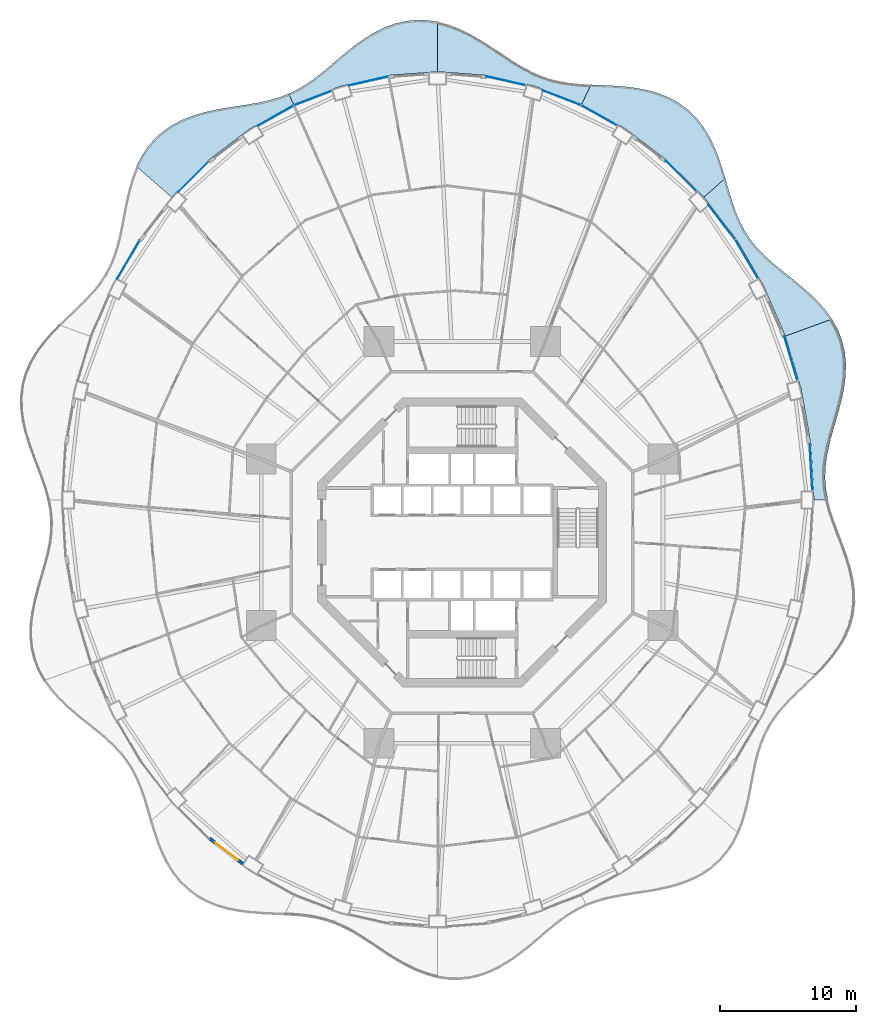
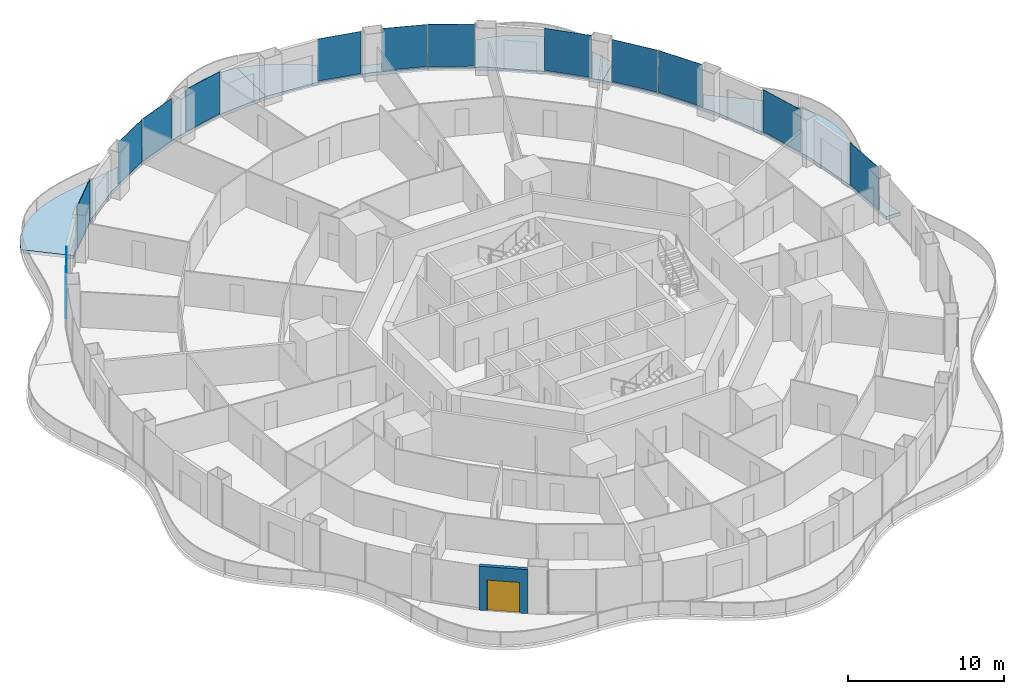
# One storey, part 13 of 22: 13 plates, 6 slabs, 1 door, 1 wall, 1 opening, 13 elements without a shape of their own.
"""IFC4 building model written with IfcOpenShell, lengths in metres."""

from ifc_helpers import new_model, si_unit, direction, frame, frame_2d, origin, origin_2d, place, context, subcontext, project, spatial, polyline, rectangle, outline, extrude, material, layer, layer_set, type_object, element, fill, aggregate, save


model = new_model("IFC4")

# Units and contexts
model_context = context("Model", 3, precision=1e-05, world=origin(), true_north=direction((0.0, 1.0)))
body_context = subcontext(model_context, "Body", "Model", "MODEL_VIEW")
ifc_project = project(units=[si_unit("LENGTHUNIT", "METRE"), si_unit("AREAUNIT", "SQUARE_METRE"), si_unit("VOLUMEUNIT", "CUBIC_METRE"), si_unit("PLANEANGLEUNIT", "RADIAN"), si_unit("MASSUNIT", "GRAM", prefix="KILO")], contexts=[model_context])

# Site, building, storey
site_placement = place(None, origin())
site = spatial("IfcSite", under=ifc_project, at=site_placement, CompositionType="ELEMENT")
building_placement = place(site_placement, origin())
building = spatial("IfcBuilding", under=site, at=building_placement, Name="Nagisa Residences", CompositionType="ELEMENT")
storey_placement = place(building_placement, frame((0.0, 0.0, 80.699951171875)))
storey = spatial("IfcBuildingStorey", under=building, at=storey_placement, Name="L19", CompositionType="ELEMENT", Elevation=80.699951171875)

# Slabs
ifc_material_1 = material(Name="Concrete C40/50", Category="concrete")
ifc_layer_1 = layer(ifc_material_1, 0.25)
ifc_layer_set_1 = layer_set([ifc_layer_1], Name="BALCONY SLAB 250")
slab_type = type_object("IfcSlabType", Name="BALCONY SLAB 250", PredefinedType="FLOOR", material=ifc_layer_set_1)
slab_1_placement = place(storey_placement, frame((0.0, 0.0, -0.25)))
element("IfcSlab", 1, at=slab_1_placement, inside=storey, type_object=slab_type, Name="slab:L19:bal00", PredefinedType="FLOOR", context=body_context, shape_type="SweptSolid", body=[
    extrude(outline(polyline([(26.920654296875, 3.11767578125), (26.77587890625, 3.90576171875), (26.7119140625, 4.69189453125), (26.7314453125, 5.48193359375), (26.829833984375, 6.281982421875), (26.995849609375, 7.0966796875), (27.21240234375, 7.9287109375), (27.457763671875, 8.779541015625), (27.70703125, 9.647216796875), (27.934326171875, 10.5283203125), (28.114013671875, 11.416748046875), (28.222412109375, 12.304443359375), (28.240234375, 13.18310546875), (28.1533203125, 14.042724609375), (27.95361328125, 14.87451171875), (27.6396484375, 15.671142578125), (27.217041015625, 16.426513671875), (23.786865234375, 15.177978515625), (24.951416015625, 11.2744140625), (25.657958984375, 7.231201171875), (25.89501953125, 3.11767578125), (26.920654296875, 3.11767578125)])), origin(), (0.0, 0.0, 1.0), 0.25),
])
slab_2_placement = place(storey_placement, frame((0.0, 0.0, -0.25)))
element("IfcSlab", 2, at=slab_2_placement, inside=storey, type_object=slab_type, Name="slab:L19:bal01", PredefinedType="FLOOR", context=body_context, shape_type="SweptSolid", body=[
    extrude(outline(polyline([(27.217041015625, 16.426513671875), (26.714599609375, 17.11669921875), (26.136474609375, 17.765625), (25.501708984375, 18.3759765625), (24.831787109375, 18.9541015625), (24.148681640625, 19.508056640625), (23.474365234375, 20.04833984375), (22.828125, 20.586181640625), (22.226318359375, 21.134521484375), (21.680908203125, 21.704345703125), (21.19873046875, 22.30615234375), (20.781005859375, 22.94775390625), (20.423583984375, 23.63427734375), (20.11767578125, 24.366455078125), (19.849853515625, 25.1416015625), (19.60400390625, 25.95263671875), (19.361572265625, 26.7890625), (17.783203125, 25.402099609375), (20.171875, 22.302734375), (22.1845703125, 18.875244140625), (23.786865234375, 15.177978515625), (27.217041015625, 16.426513671875)])), origin(), (0.0, 0.0, 1.0), 0.25),
])
slab_3_placement = place(storey_placement, frame((0.0, 0.0, -0.25)))
element("IfcSlab", 3, at=slab_3_placement, inside=storey, type_object=slab_type, Name="slab:L19:bal02", PredefinedType="FLOOR", context=body_context, shape_type="SweptSolid", body=[
    extrude(outline(polyline([(19.361572265625, 26.7890625), (19.1162109375, 27.59716796875), (18.8408203125, 28.401611328125), (18.52099609375, 29.186767578125), (18.145263671875, 29.93701171875), (17.70458984375, 30.63720703125), (17.1943359375, 31.2744140625), (16.61328125, 31.837646484375), (15.964111328125, 32.319580078125), (15.253173828125, 32.71630859375), (14.489501953125, 33.029052734375), (13.684326171875, 33.2626953125), (12.850341796875, 33.426513671875), (12.000732421875, 33.533203125), (11.1484375, 33.598388671875), (10.3046875, 33.64013671875), (9.478759765625, 33.677001953125), (8.79833984375, 32.233642578125), (12.047607421875, 30.410400390625), (15.0595703125, 28.1201171875), (17.783203125, 25.402099609375), (19.361572265625, 26.7890625)])), origin(), (0.0, 0.0, 1.0), 0.25),
])
slab_4_placement = place(storey_placement, frame((0.0, 0.0, -0.25)))
element("IfcSlab", 4, at=slab_4_placement, inside=storey, type_object=slab_type, Name="slab:L19:bal03", PredefinedType="FLOOR", context=body_context, shape_type="SweptSolid", body=[
    extrude(outline(polyline([(9.478759765625, 33.677001953125), (8.705810546875, 33.724609375), (7.958984375, 33.7998046875), (7.2392578125, 33.915283203125), (6.545166015625, 34.08056640625), (5.87255859375, 34.302001953125), (5.216064453125, 34.5810546875), (4.568359375, 34.915283203125), (3.922607421875, 35.2978515625), (3.27099609375, 35.718017578125), (2.607177734375, 36.161376953125), (1.92578125, 36.611083984375), (1.222900390625, 37.048583984375), (0.49755859375, 37.45458984375), (-0.250244140625, 37.810791015625), (-1.017578125, 38.099609375), (-1.800048828125, 38.30712890625), (-1.800048828125, 34.6328125), (1.81494140625, 34.363037109375), (5.367919921875, 33.558837890625), (8.79833984375, 32.233642578125), (9.478759765625, 33.677001953125)])), origin(), (0.0, 0.0, 1.0), 0.25),
])
slab_5_placement = place(storey_placement, frame((0.0, 0.0, -0.25)))
element("IfcSlab", 5, at=slab_5_placement, inside=storey, type_object=slab_type, Name="slab:L19:bal04", PredefinedType="FLOOR", context=body_context, shape_type="SweptSolid", body=[
    extrude(outline(polyline([(-1.800048828125, 38.30712890625), (-2.591552734375, 38.422119140625), (-3.385009765625, 38.4375), (-4.17333984375, 38.351318359375), (-4.948974609375, 38.16552734375), (-5.705810546875, 37.886962890625), (-6.43896484375, 37.5263671875), (-7.14501953125, 37.097900390625), (-7.822998046875, 36.61865234375), (-8.474365234375, 36.106689453125), (-9.102294921875, 35.581298828125), (-9.71240234375, 35.060302734375), (-10.3115234375, 34.560791015625), (-10.90771484375, 34.0966796875), (-11.509521484375, 33.678955078125), (-12.125244140625, 33.314208984375), (-12.76220703125, 33.005615234375), (-12.3984375, 32.233642578125), (-8.968017578125, 33.558837890625), (-5.4150390625, 34.363037109375), (-1.800048828125, 34.6328125), (-1.800048828125, 38.30712890625)])), origin(), (0.0, 0.0, 1.0), 0.25),
])
slab_6_placement = place(storey_placement, frame((0.0, 0.0, -0.25)))
element("IfcSlab", 6, at=slab_6_placement, inside=storey, type_object=slab_type, Name="slab:L19:bal05", PredefinedType="FLOOR", context=body_context, shape_type="SweptSolid", body=[
    extrude(outline(polyline([(-12.76220703125, 33.005615234375), (-13.451416015625, 32.742919921875), (-14.173583984375, 32.532958984375), (-14.9296875, 32.365478515625), (-15.71728515625, 32.2265625), (-16.53125, 32.100341796875), (-17.363037109375, 31.969482421875), (-18.20166015625, 31.81689453125), (-19.033935546875, 31.62548828125), (-19.845703125, 31.381103515625), (-20.622802734375, 31.072021484375), (-21.3515625, 30.68994140625), (-22.0205078125, 30.230712890625), (-22.620361328125, 29.69384765625), (-23.14501953125, 29.0830078125), (-23.592529296875, 28.4052734375), (-23.965087890625, 27.671142578125), (-21.38330078125, 25.402099609375), (-18.65966796875, 28.1201171875), (-15.6474609375, 30.410400390625), (-12.3984375, 32.233642578125), (-12.76220703125, 33.005615234375)])), origin(), (0.0, 0.0, 1.0), 0.25),
])

# Curtain wall, plate
ifc_material_2 = material(Name="Concrete-coloured aluminium curtain wall system", Category="concrete")
ifc_layer_2 = layer(ifc_material_2, 0.159912109375)
ifc_layer_set_2 = layer_set([ifc_layer_2], Name="CW1 CURTAIN WALL")
curtain_wall_type = type_object("IfcCurtainWallType", Name="CW1 CURTAIN WALL", PredefinedType="NOTDEFINED", material=ifc_layer_set_2)
curtain_wall_1_placement = place(storey_placement, origin())
curtain_wall_1 = element("IfcCurtainWall", 7, at=curtain_wall_1_placement, inside=storey, type_object=curtain_wall_type, Name="cw:CW1:L19:00", PredefinedType="NOTDEFINED")
ifc_material_3 = material(Name="Clear laminated glass", Category="glass")
ifc_layer_3 = layer(ifc_material_3, 0.028076171875)
ifc_layer_set_3 = layer_set([ifc_layer_3], Name="CW1 GLASS PANEL")
plate_type = type_object("IfcPlateType", Name="CW1 GLASS PANEL", PredefinedType="CURTAIN_PANEL", material=ifc_layer_set_3)
plate_1_placement = place(storey_placement, frame((25.67626953125, 5.524169921875, 0.150146484375), z_axis=(0.0, 0.0, 1.0), x_axis=(-0.057503492216, 0.998345305184, 0.0)))
plate_1 = element("IfcPlate", 8, at=plate_1_placement, type_object=plate_type, Name="CW1 panel", PredefinedType="CURTAIN_PANEL", context=body_context, shape_type="SweptSolid", body=[
    extrude(rectangle(XDim=3.410400390625, YDim=0.028076171875, at=origin_2d()), origin(), (0.0, 0.0, 1.0), 3.2900390625),
])
aggregate(curtain_wall_1, [plate_1])

curtain_wall_2_placement = place(storey_placement, origin())
curtain_wall_2 = element("IfcCurtainWall", 9, at=curtain_wall_2_placement, inside=storey, type_object=curtain_wall_type, Name="cw:CW1:L19:02", PredefinedType="NOTDEFINED")
plate_2_placement = place(storey_placement, frame((24.19091796875, 13.54345703125, 0.150146484375), z_axis=(0.0, 0.0, 1.0), x_axis=(-0.285860274038, 0.958271310082, 0.0)))
plate_2 = element("IfcPlate", 10, at=plate_2_placement, type_object=plate_type, Name="CW1 panel", PredefinedType="CURTAIN_PANEL", context=body_context, shape_type="SweptSolid", body=[
    extrude(rectangle(XDim=3.363525390625, YDim=0.028076171875, at=origin_2d()), origin(), (0.0, 0.0, 1.0), 3.2900390625),
])
aggregate(curtain_wall_2, [plate_2])

curtain_wall_3_placement = place(storey_placement, origin())
curtain_wall_3 = element("IfcCurtainWall", 11, at=curtain_wall_3_placement, inside=storey, type_object=curtain_wall_type, Name="cw:CW1:L19:04", PredefinedType="NOTDEFINED")
plate_3_placement = place(storey_placement, frame((20.929443359375, 20.854736328125, 0.150146484375), z_axis=(0.0, 0.0, 1.0), x_axis=(-0.506348567002, 0.862328898214, 0.0)))
plate_3 = element("IfcPlate", 12, at=plate_3_placement, type_object=plate_type, Name="CW1 panel", PredefinedType="CURTAIN_PANEL", context=body_context, shape_type="SweptSolid", body=[
    extrude(rectangle(XDim=3.264892578125, YDim=0.028076171875, at=origin_2d()), origin(), (0.0, 0.0, 1.0), 3.2900390625),
])
aggregate(curtain_wall_3, [plate_3])

curtain_wall_4_placement = place(storey_placement, origin())
curtain_wall_4 = element("IfcCurtainWall", 13, at=curtain_wall_4_placement, inside=storey, type_object=curtain_wall_type, Name="cw:CW1:L19:05", PredefinedType="NOTDEFINED")
plate_4_placement = place(storey_placement, frame((19.09423828125, 23.570068359375, 0.150146484375), z_axis=(0.0, 0.0, 1.0), x_axis=(-0.610429828235, 0.792070340816, 0.0)))
plate_4 = element("IfcPlate", 14, at=plate_4_placement, type_object=plate_type, Name="CW1 panel", PredefinedType="CURTAIN_PANEL", context=body_context, shape_type="SweptSolid", body=[
    extrude(rectangle(XDim=3.202880859375, YDim=0.028076171875, at=origin_2d()), origin(), (0.0, 0.0, 1.0), 3.2900390625),
])
aggregate(curtain_wall_4, [plate_4])

curtain_wall_5_placement = place(storey_placement, origin())
curtain_wall_5 = element("IfcCurtainWall", 15, at=curtain_wall_5_placement, inside=storey, type_object=curtain_wall_type, Name="cw:CW1:L19:06", PredefinedType="NOTDEFINED")
plate_5_placement = place(storey_placement, frame((16.11376953125, 26.955322265625, 0.150146484375), z_axis=(0.0, 0.0, 1.0), x_axis=(-0.707835924016, 0.706376885714, 0.0)))
plate_5 = element("IfcPlate", 16, at=plate_5_placement, type_object=plate_type, Name="CW1 panel", PredefinedType="CURTAIN_PANEL", context=body_context, shape_type="SweptSolid", body=[
    extrude(rectangle(XDim=3.137939453125, YDim=0.028076171875, at=origin_2d()), origin(), (0.0, 0.0, 1.0), 3.2900390625),
])
aggregate(curtain_wall_5, [plate_5])

curtain_wall_6_placement = place(storey_placement, origin())
curtain_wall_6 = element("IfcCurtainWall", 17, at=curtain_wall_6_placement, inside=storey, type_object=curtain_wall_type, Name="cw:CW1:L19:08", PredefinedType="NOTDEFINED")
plate_6_placement = place(storey_placement, frame((10.07421875, 31.426025390625, 0.150146484375), z_axis=(0.0, 0.0, 1.0), x_axis=(-0.872072377523, 0.489376918501, 0.0)))
plate_6 = element("IfcPlate", 18, at=plate_6_placement, type_object=plate_type, Name="CW1 panel", PredefinedType="CURTAIN_PANEL", context=body_context, shape_type="SweptSolid", body=[
    extrude(rectangle(XDim=3.015625, YDim=0.028076171875, at=origin_2d()), origin(), (0.0, 0.0, 1.0), 3.2900390625),
])
aggregate(curtain_wall_6, [plate_6])

curtain_wall_7_placement = place(storey_placement, origin())
curtain_wall_7 = element("IfcCurtainWall", 19, at=curtain_wall_7_placement, inside=storey, type_object=curtain_wall_type, Name="cw:CW1:L19:09", PredefinedType="NOTDEFINED")
plate_7_placement = place(storey_placement, frame((7.32958984375, 32.71533203125, 0.150146484375), z_axis=(0.0, 0.0, 1.0), x_axis=(-0.932825759707, 0.360327770268, 0.0)))
plate_7 = element("IfcPlate", 20, at=plate_7_placement, type_object=plate_type, Name="CW1 panel", PredefinedType="CURTAIN_PANEL", context=body_context, shape_type="SweptSolid", body=[
    extrude(rectangle(XDim=2.967529296875, YDim=0.028076171875, at=origin_2d()), origin(), (0.0, 0.0, 1.0), 3.2900390625),
])
aggregate(curtain_wall_7, [plate_7])

curtain_wall_8_placement = place(storey_placement, origin())
curtain_wall_8 = element("IfcCurtainWall", 21, at=curtain_wall_8_placement, inside=storey, type_object=curtain_wall_type, Name="cw:CW1:L19:10", PredefinedType="NOTDEFINED")
plate_8_placement = place(storey_placement, frame((3.2275390625, 33.96142578125, 0.150146484375), z_axis=(0.0, 0.0, 1.0), x_axis=(-0.975327274089, 0.2207639201, 0.0)))
plate_8 = element("IfcPlate", 22, at=plate_8_placement, type_object=plate_type, Name="CW1 panel", PredefinedType="CURTAIN_PANEL", context=body_context, shape_type="SweptSolid", body=[
    extrude(rectangle(XDim=2.932861328125, YDim=0.028076171875, at=origin_2d()), origin(), (0.0, 0.0, 1.0), 3.2900390625),
])
aggregate(curtain_wall_8, [plate_8])

curtain_wall_9_placement = place(storey_placement, origin())
curtain_wall_9 = element("IfcCurtainWall", 23, at=curtain_wall_9_placement, inside=storey, type_object=curtain_wall_type, Name="cw:CW1:L19:13", PredefinedType="NOTDEFINED")
plate_9_placement = place(storey_placement, frame((-6.885986328125, 33.947998046875, 0.150146484375), z_axis=(0.0, 0.0, 1.0), x_axis=(-0.975327274089, -0.2207639201, 0.0)))
plate_9 = element("IfcPlate", 24, at=plate_9_placement, type_object=plate_type, Name="CW1 panel", PredefinedType="CURTAIN_PANEL", context=body_context, shape_type="SweptSolid", body=[
    extrude(rectangle(XDim=2.932861328125, YDim=0.028076171875, at=origin_2d()), origin(), (0.0, 0.0, 1.0), 3.2900390625),
])
aggregate(curtain_wall_9, [plate_9])

curtain_wall_10_placement = place(storey_placement, origin())
curtain_wall_10 = element("IfcCurtainWall", 25, at=curtain_wall_10_placement, inside=storey, type_object=curtain_wall_type, Name="cw:CW1:L19:14", PredefinedType="NOTDEFINED")
plate_10_placement = place(storey_placement, frame((-10.985595703125, 32.69384765625, 0.150146484375), z_axis=(0.0, 0.0, 1.0), x_axis=(-0.932825759707, -0.360327770268, 0.0)))
plate_10 = element("IfcPlate", 26, at=plate_10_placement, type_object=plate_type, Name="CW1 panel", PredefinedType="CURTAIN_PANEL", context=body_context, shape_type="SweptSolid", body=[
    extrude(rectangle(XDim=2.967529296875, YDim=0.028076171875, at=origin_2d()), origin(), (0.0, 0.0, 1.0), 3.2900390625),
])
aggregate(curtain_wall_10, [plate_10])

curtain_wall_11_placement = place(storey_placement, origin())
curtain_wall_11 = element("IfcCurtainWall", 27, at=curtain_wall_11_placement, inside=storey, type_object=curtain_wall_type, Name="cw:CW1:L19:15", PredefinedType="NOTDEFINED")
plate_11_placement = place(storey_placement, frame((-13.7265625, 31.396728515625, 0.150146484375), z_axis=(0.0, 0.0, 1.0), x_axis=(-0.872072377523, -0.489376918501, 0.0)))
plate_11 = element("IfcPlate", 28, at=plate_11_placement, type_object=plate_type, Name="CW1 panel", PredefinedType="CURTAIN_PANEL", context=body_context, shape_type="SweptSolid", body=[
    extrude(rectangle(XDim=3.015625, YDim=0.028076171875, at=origin_2d()), origin(), (0.0, 0.0, 1.0), 3.2900390625),
])
aggregate(curtain_wall_11, [plate_11])

curtain_wall_12_placement = place(storey_placement, origin())
curtain_wall_12 = element("IfcCurtainWall", 29, at=curtain_wall_12_placement, inside=storey, type_object=curtain_wall_type, Name="cw:CW1:L19:17", PredefinedType="NOTDEFINED")
plate_12_placement = place(storey_placement, frame((-19.756103515625, 26.912841796875, 0.150146484375), z_axis=(0.0, 0.0, 1.0), x_axis=(-0.707835924016, -0.706376885714, 0.0)))
plate_12 = element("IfcPlate", 30, at=plate_12_placement, type_object=plate_type, Name="CW1 panel", PredefinedType="CURTAIN_PANEL", context=body_context, shape_type="SweptSolid", body=[
    extrude(rectangle(XDim=3.137939453125, YDim=0.028076171875, at=origin_2d()), origin(), (0.0, 0.0, 1.0), 3.2900390625),
])
aggregate(curtain_wall_12, [plate_12])

curtain_wall_13_placement = place(storey_placement, origin())
curtain_wall_13 = element("IfcCurtainWall", 31, at=curtain_wall_13_placement, inside=storey, type_object=curtain_wall_type, Name="cw:CW1:L19:19", PredefinedType="NOTDEFINED")
plate_13_placement = place(storey_placement, frame((-24.559814453125, 20.802978515625, 0.150146484375), z_axis=(0.0, 0.0, 1.0), x_axis=(-0.506348567002, -0.862328898214, 0.0)))
plate_13 = element("IfcPlate", 32, at=plate_13_placement, type_object=plate_type, Name="CW1 panel", PredefinedType="CURTAIN_PANEL", context=body_context, shape_type="SweptSolid", body=[
    extrude(rectangle(XDim=3.264892578125, YDim=0.028076171875, at=origin_2d()), origin(), (0.0, 0.0, 1.0), 3.2900390625),
])
aggregate(curtain_wall_13, [plate_13])

# Wall, opening, door
ifc_material_4 = material(Name="Precast concrete C40/50", Category="concrete")
ifc_layer_4 = layer(ifc_material_4, 0.25)
ifc_layer_set_4 = layer_set([ifc_layer_4], Name="BALCONY DOOR WALL 250")
wall_type = type_object("IfcWallType", Name="BALCONY DOOR WALL 250", PredefinedType="SOLIDWALL", material=ifc_layer_set_4)
wall_placement = place(storey_placement, frame((-16.08935546875, -23.68212890625, 0.0), z_axis=(0.0, 0.0, 1.0), x_axis=(-0.796037575978, 0.605247203736, 0.0)))
wall = element("IfcWall", 33, at=wall_placement, inside=storey, type_object=wall_type, Name="wall:L19:bay31", PredefinedType="SOLIDWALL", context=body_context, shape_type="SweptSolid", body=[
    extrude(rectangle(XDim=3.1337890625, YDim=0.25, at=frame_2d((1.56689453125, 0.0))), origin(), (0.0, 0.0, 1.0), 3.43994140625),
])
opening_placement = place(wall_placement, frame((0.51708984375, 0.0, 0.0)))
opening = element("IfcOpeningElement", 34, at=opening_placement, cuts=wall, Name="Opening BD-L19-11", PredefinedType="OPENING", context=body_context, shape_type="SweptSolid", body=[
    extrude(rectangle(XDim=2.10009765625, YDim=2.39990234375, at=frame_2d((1.050048828125, 1.199951171875))), frame((0.0, 0.135009765625, 0.0), z_axis=(0.0, -1.0, 0.0), x_axis=(1.0, 0.0, 0.0)), (0.0, 0.0, 1.0), 0.27001953125),
])
ifc_material_5 = material(Name="Aluminium and clear glass", Category="aluminium")
door_type = type_object("IfcDoorType", Name="BALCONY SLIDING DOOR 2100x2400", OperationType="SLIDING_TO_LEFT", PredefinedType="DOOR", material=ifc_material_5)
door_placement = place(opening_placement, origin())
door = element("IfcDoor", 35, at=door_placement, inside=storey, type_object=door_type, Name="door:L19:bay31", OperationType="SLIDING_TO_LEFT", OverallHeight=2.39990234375, OverallWidth=2.10009765625, PredefinedType="DOOR", context=body_context, shape_type="SweptSolid", body=[
    extrude(rectangle(XDim=2.10009765625, YDim=2.39990234375, at=frame_2d((1.050048828125, 1.199951171875))), frame((0.0, 0.02490234375, 0.0), z_axis=(0.0, -1.0, 0.0), x_axis=(1.0, 0.0, 0.0)), (0.0, 0.0, 1.0), 0.050048828125),
])
fill(opening, door)

save(model, "model.ifc")
